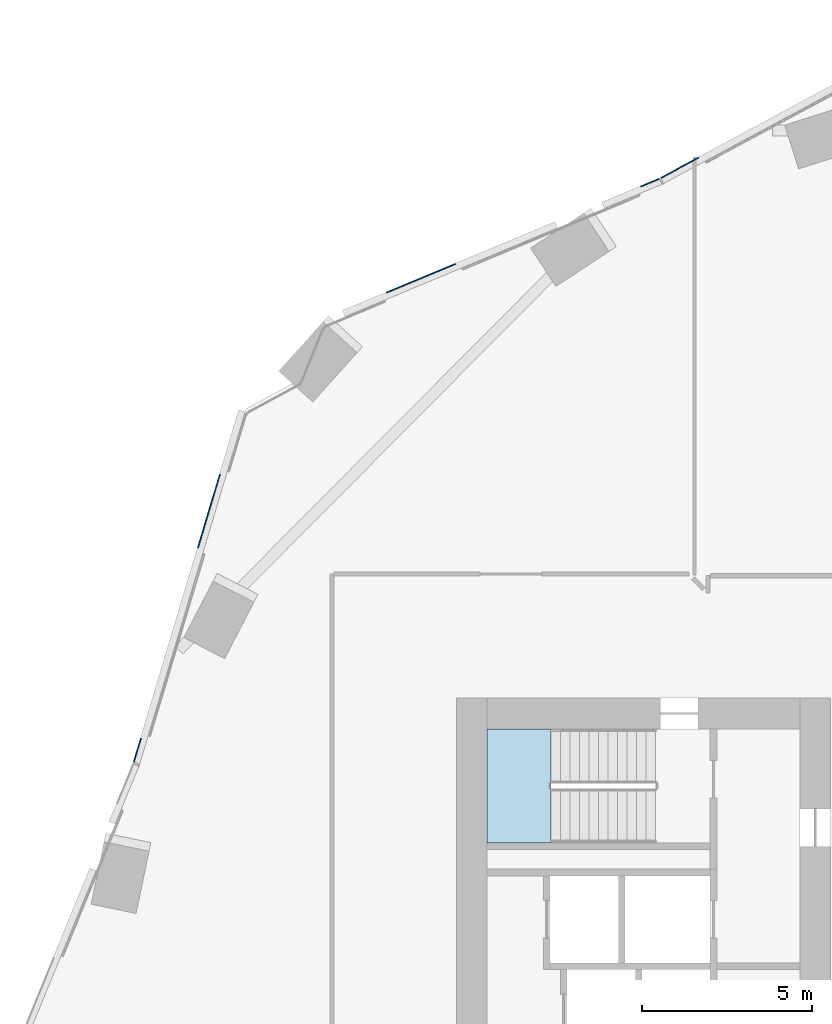
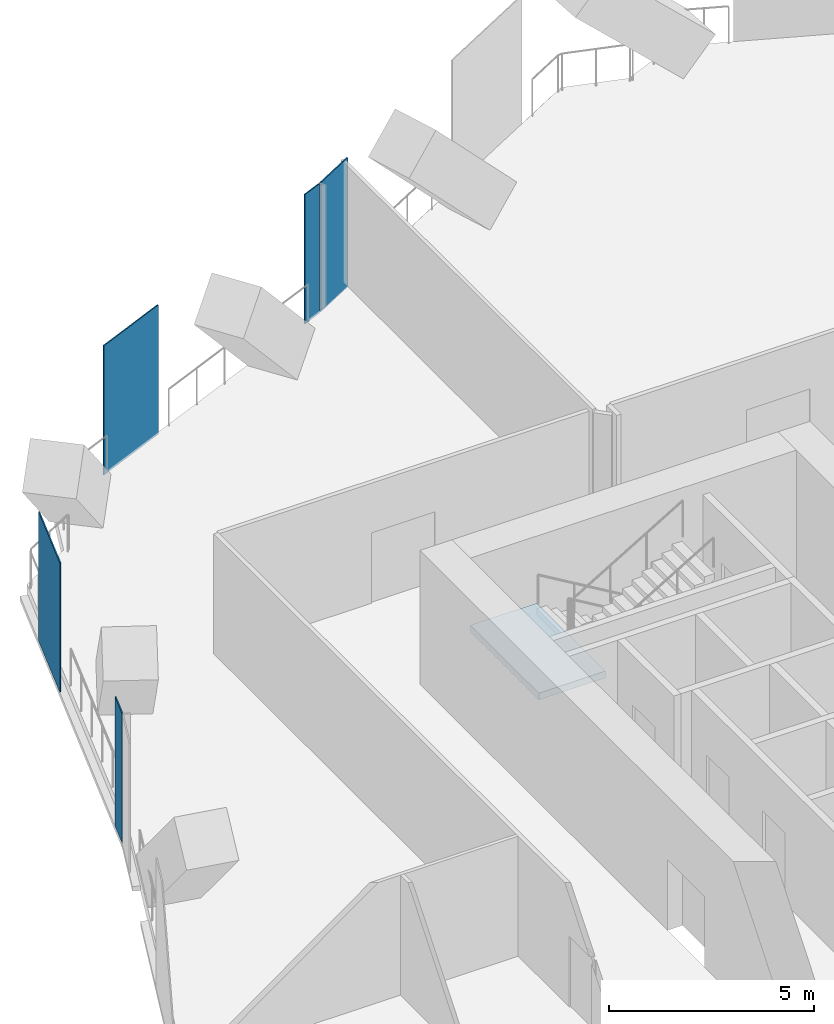
# One storey, part 24 of 37: 5 plates, 1 slab, 4 elements without a shape of their own.
"""IFC4 building model written with IfcOpenShell, lengths in metres."""

from ifc_helpers import new_model, si_unit, direction, frame, origin, origin_2d, place, context, subcontext, project, spatial, polyline, rectangle, outline, extrude, material, layer, layer_set, type_object, element, aggregate, save


model = new_model("IFC4")

# Units and contexts
model_context = context("Model", 3, precision=1e-05, world=origin(), true_north=direction((0.0, 1.0)))
body_context = subcontext(model_context, "Body", "Model", "MODEL_VIEW")
ifc_project = project(units=[si_unit("LENGTHUNIT", "METRE"), si_unit("AREAUNIT", "SQUARE_METRE"), si_unit("VOLUMEUNIT", "CUBIC_METRE"), si_unit("PLANEANGLEUNIT", "RADIAN"), si_unit("MASSUNIT", "GRAM", prefix="KILO")], contexts=[model_context])

# Site, building, storey
site_placement = place(None, origin())
site = spatial("IfcSite", under=ifc_project, at=site_placement, CompositionType="ELEMENT")
building_placement = place(site_placement, origin())
building = spatial("IfcBuilding", under=site, at=building_placement, Name="Orlundy Tower", CompositionType="ELEMENT")
storey_placement = place(building_placement, frame((0.0, 0.0, 119.699951171875)))
storey = spatial("IfcBuildingStorey", under=building, at=storey_placement, Name="L30", CompositionType="ELEMENT", Elevation=119.699951171875)

# Curtain wall, plates
ifc_material_1 = material(Name="Aluminium bronze anodised", Category="aluminium")
curtain_wall_type = type_object("IfcCurtainWallType", Name="CW5 wall", PredefinedType="NOTDEFINED", material=ifc_material_1)
curtain_wall_1_placement = place(storey_placement, origin())
curtain_wall_1 = element("IfcCurtainWall", 1, at=curtain_wall_1_placement, inside=storey, type_object=curtain_wall_type, Name="CW5 run 03", PredefinedType="NOTDEFINED")
ifc_material_2 = material(Name="Tinted glass", Category="glass")
ifc_layer_1 = layer(ifc_material_2, 0.031982421875)
ifc_layer_set_1 = layer_set([ifc_layer_1], Name="CW5 glass panel 32")
plate_type_1 = type_object("IfcPlateType", Name="CW5 glass panel 32", PredefinedType="CURTAIN_PANEL", material=ifc_layer_set_1)
plate_1_placement = place(storey_placement, frame((-28.374755859375, 10.46630859375, -0.259765625), z_axis=(0.0, 0.0, 1.0), x_axis=(0.286844671439, 0.957977105398, 0.0)))
plate_1 = element("IfcPlate", 2, at=plate_1_placement, type_object=plate_type_1, Name="CW5 panel", PredefinedType="CURTAIN_PANEL", context=body_context, shape_type="SweptSolid", body=[
    extrude(rectangle(XDim=0.73681640625, YDim=0.031982421875, at=origin_2d()), origin(), (0.0, 0.0, 1.0), 3.860107421875),
])
plate_2_placement = place(storey_placement, frame((-26.26708984375, 17.505615234375, -0.259765625), z_axis=(0.0, 0.0, 1.0), x_axis=(0.286844671439, 0.957977105398, 0.0)))
plate_2 = element("IfcPlate", 3, at=plate_2_placement, type_object=plate_type_1, Name="CW5 panel", PredefinedType="CURTAIN_PANEL", context=body_context, shape_type="SweptSolid", body=[
    extrude(rectangle(XDim=2.248291015625, YDim=0.031982421875, at=origin_2d()), origin(), (0.0, 0.0, 1.0), 3.860107421875),
])
aggregate(curtain_wall_1, [plate_1, plate_2])

# Curtain wall, plate
curtain_wall_2_placement = place(storey_placement, origin())
curtain_wall_2 = element("IfcCurtainWall", 4, at=curtain_wall_2_placement, inside=storey, type_object=curtain_wall_type, Name="CW5 run 06", PredefinedType="NOTDEFINED")
plate_3_placement = place(storey_placement, frame((-20.03955078125, 24.34130859375, -0.259765625), z_axis=(0.0, 0.0, 1.0), x_axis=(0.922768417563, 0.385354963051, 0.0)))
plate_3 = element("IfcPlate", 5, at=plate_3_placement, type_object=plate_type_1, Name="CW5 panel", PredefinedType="CURTAIN_PANEL", context=body_context, shape_type="SweptSolid", body=[
    extrude(rectangle(XDim=2.193359375, YDim=0.031982421875, at=origin_2d()), origin(), (0.0, 0.0, 1.0), 3.860107421875),
])

curtain_wall_3_placement = place(storey_placement, origin())
curtain_wall_3 = element("IfcCurtainWall", 6, at=curtain_wall_3_placement, inside=storey, type_object=curtain_wall_type, Name="CW5 run 07", PredefinedType="NOTDEFINED")
plate_4_placement = place(storey_placement, frame((-12.4345703125, 27.587158203125, -0.259765625), z_axis=(0.0, 0.0, 1.0), x_axis=(0.880180383731, 0.474639328432, 0.0)))
plate_4 = element("IfcPlate", 7, at=plate_4_placement, type_object=plate_type_1, Name="CW5 panel", PredefinedType="CURTAIN_PANEL", context=body_context, shape_type="SweptSolid", body=[
    extrude(rectangle(XDim=1.256103515625, YDim=0.031982421875, at=origin_2d()), origin(), (0.0, 0.0, 1.0), 3.860107421875),
])
aggregate(curtain_wall_3, [plate_4])

# Plate
ifc_material_3 = material(Name="Tinted glass", Category="glass")
ifc_layer_2 = layer(ifc_material_3, 0.031982421875)
ifc_layer_set_2 = layer_set([ifc_layer_2], Name="CW5 vent panel 32")
plate_type_2 = type_object("IfcPlateType", Name="CW5 vent panel 32", PredefinedType="CURTAIN_PANEL", material=ifc_layer_set_2)
plate_5_placement = place(storey_placement, frame((-13.303466796875, 27.154541015625, -0.259765625), z_axis=(0.0, 0.0, 1.0), x_axis=(0.922768417563, 0.385354963051, 0.0)))
plate_5 = element("IfcPlate", 8, at=plate_5_placement, type_object=plate_type_2, Name="CW5 panel", PredefinedType="CURTAIN_PANEL", context=body_context, shape_type="SweptSolid", body=[
    extrude(rectangle(XDim=0.58740234375, YDim=0.031982421875, at=origin_2d()), origin(), (0.0, 0.0, 1.0), 3.860107421875),
])

aggregate(curtain_wall_2, [plate_3, plate_5])

# Stair, slab
ifc_material_4 = material(Name="Concrete C50/60", Category="concrete")
stair_type = type_object("IfcStairType", Name="Exit Stair 24 risers", PredefinedType="HALF_TURN_STAIR", material=ifc_material_4)
stair_placement = place(storey_placement, origin())
stair = element("IfcStair", 9, at=stair_placement, inside=storey, type_object=stair_type, Name="L30 Exit Stair ST-W1", PredefinedType="HALF_TURN_STAIR")
ifc_material_5 = material(Name="Concrete C50/60", Category="concrete")
ifc_layer_3 = layer(ifc_material_5, 0.199951171875)
ifc_layer_set_3 = layer_set([ifc_layer_3], Name="Exit Stair Landing")
slab_type = type_object("IfcSlabType", Name="Exit Stair Landing", PredefinedType="LANDING", material=ifc_layer_set_3)
slab_placement = place(storey_placement, frame((0.0, 0.0, 1.800048828125)))
slab = element("IfcSlab", 10, at=slab_placement, type_object=slab_type, Name="ST-W1 landing 1", PredefinedType="LANDING", context=body_context, shape_type="SweptSolid", body=[
    extrude(outline(polyline([(-16.219970703125, 11.10009765625), (-18.10009765625, 11.10009765625), (-18.10009765625, 7.75), (-16.219970703125, 7.75), (-16.219970703125, 11.10009765625)])), origin(), (0.0, 0.0, 1.0), 0.199951171875),
])
aggregate(stair, [slab])

save(model, "model.ifc")
